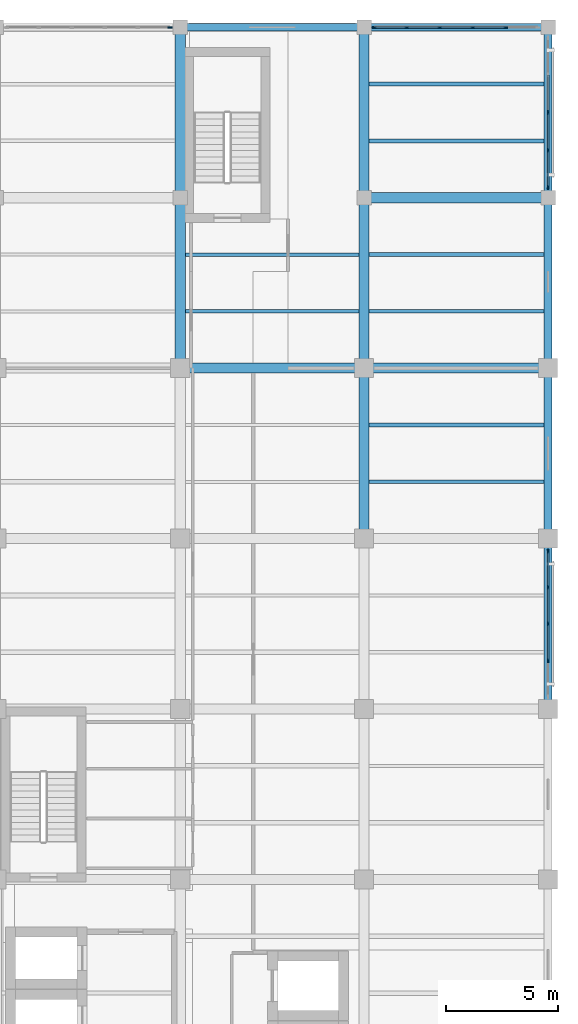
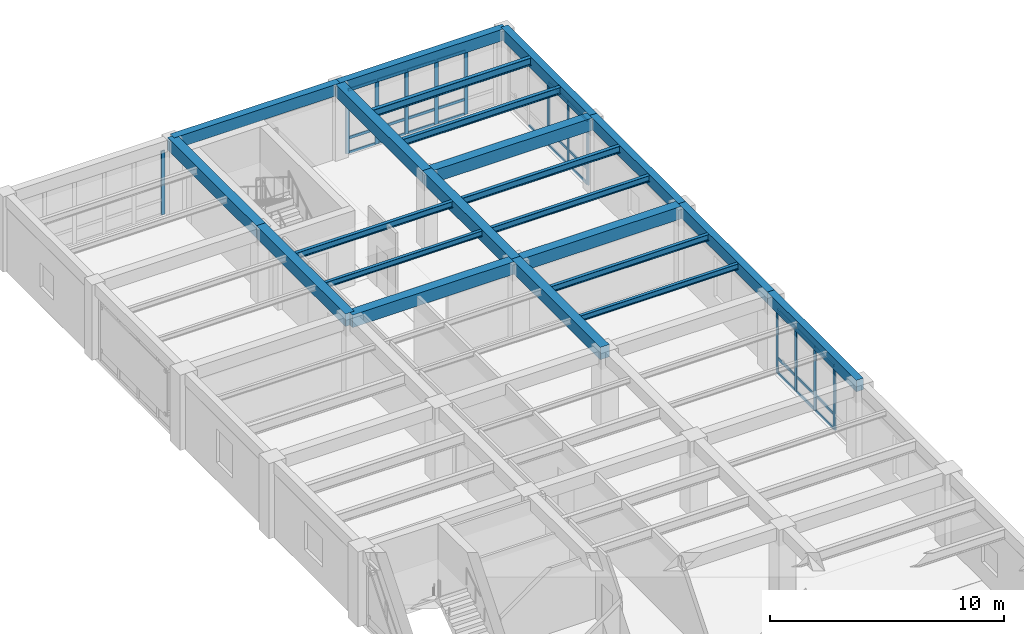
# One storey, part 5 of 16: 41 members, 22 beams, 4 elements without a shape of their own.
"""IFC4 building model written with IfcOpenShell, lengths in metres."""

from ifc_helpers import new_model, si_unit, direction, frame, origin, origin_2d, place, context, subcontext, project, spatial, rectangle, i_section, extrude, material, material_profile, profile_set, type_object, element, aggregate, save


model = new_model("IFC4")

# Units and contexts
model_context = context("Model", 3, precision=1e-05, world=origin(), true_north=direction((0.0, 1.0)))
body_context = subcontext(model_context, "Body", "Model", "MODEL_VIEW")
ifc_project = project(units=[si_unit("LENGTHUNIT", "METRE"), si_unit("AREAUNIT", "SQUARE_METRE"), si_unit("VOLUMEUNIT", "CUBIC_METRE"), si_unit("PLANEANGLEUNIT", "RADIAN"), si_unit("MASSUNIT", "GRAM", prefix="KILO")], contexts=[model_context])

# Site, building, storey
site_placement = place(None, origin())
site = spatial("IfcSite", under=ifc_project, at=site_placement, CompositionType="ELEMENT")
building_placement = place(site_placement, origin())
building = spatial("IfcBuilding", under=site, at=building_placement, Name="Qandaris Square Conservatory and Botanical Centre", CompositionType="ELEMENT")
storey_placement = place(building_placement, frame((0.0, 0.0, 24.0)))
storey = spatial("IfcBuildingStorey", under=building, at=storey_placement, Name="L05", CompositionType="ELEMENT", Elevation=24.0)

# Beams
ifc_material_1 = material(Name="Steel S355", Category="steel")
ifc_material_profile_1 = material_profile(ifc_material_1, i_section(OverallWidth=0.14990234375, OverallDepth=0.300048828125, WebThickness=0.007080078125, FlangeThickness=0.0107421875, FilletRadius=0.014892578125, at=origin_2d()), Name="IPE 300")
ifc_profile_set_1 = profile_set([ifc_material_profile_1], Name="Steel S355")
beam_type_1 = type_object("IfcBeamType", Name="Composite Lab Joist IPE 300", PredefinedType="JOIST", material=ifc_profile_set_1)
beam_1_placement = place(storey_placement, frame((147.625, 64.7333984375, 3.77001953125), z_axis=(1.0, 0.0, 0.0), x_axis=(0.0, 1.0, 0.0)))
element("IfcBeam", 1, at=beam_1_placement, inside=storey, type_object=beam_type_1, Name="L05 Composite Joist 1939", PredefinedType="JOIST", context=body_context, shape_type="SweptSolid", body=[
    extrude(i_section(OverallWidth=0.14990234375, OverallDepth=0.300048828125, WebThickness=0.007080078125, FlangeThickness=0.0107421875, FilletRadius=0.014892578125, at=origin_2d()), origin(), (0.0, 0.0, 1.0), 7.75),
])
beam_2_placement = place(storey_placement, frame((155.824951171875, 57.13330078125, 3.77001953125), z_axis=(1.0, 0.0, 0.0), x_axis=(0.0, 1.0, 0.0)))
element("IfcBeam", 2, at=beam_2_placement, inside=storey, type_object=beam_type_1, Name="L05 Composite Joist 1951", PredefinedType="JOIST", context=body_context, shape_type="SweptSolid", body=[
    extrude(i_section(OverallWidth=0.14990234375, OverallDepth=0.300048828125, WebThickness=0.007080078125, FlangeThickness=0.0107421875, FilletRadius=0.014892578125, at=origin_2d()), origin(), (0.0, 0.0, 1.0), 7.800048828125),
])
ifc_material_profile_2 = material_profile(ifc_material_1, i_section(OverallWidth=0.159912109375, OverallDepth=0.330078125, WebThickness=0.007568359375, FlangeThickness=0.011474609375, FilletRadius=0.01806640625, at=origin_2d()), Name="IPE 330")
ifc_profile_set_2 = profile_set([ifc_material_profile_2], Name="Steel S355")
beam_type_2 = type_object("IfcBeamType", Name="Composite Lab Joist IPE 330", PredefinedType="JOIST", material=ifc_profile_set_2)
beam_3_placement = place(storey_placement, frame((147.625, 67.2666015625, 3.7548828125), z_axis=(1.0, 0.0, 0.0), x_axis=(0.0, 1.0, 0.0)))
element("IfcBeam", 3, at=beam_3_placement, inside=storey, type_object=beam_type_2, Name="L05 Composite Joist 1940", PredefinedType="JOIST", context=body_context, shape_type="SweptSolid", body=[
    extrude(i_section(OverallWidth=0.159912109375, OverallDepth=0.330078125, WebThickness=0.007568359375, FlangeThickness=0.011474609375, FilletRadius=0.01806640625, at=origin_2d()), origin(), (0.0, 0.0, 1.0), 7.75),
])
for number, where, z_axis, x_axis, name in (
    (4, (155.824951171875, 59.666748046875, 3.7548828125), (1.0, 0.0, 0.0), (0.0, 1.0, 0.0), "L05 Composite Joist 1952"),
    (5, (155.824951171875, 64.7333984375, 3.7548828125), (1.0, 0.0, 0.0), (0.0, 1.0, 0.0), "L05 Composite Joist 1953"),
):
    element("IfcBeam", number, at=place(storey_placement, frame(where, z_axis=z_axis, x_axis=x_axis)), inside=storey, type_object=beam_type_2, Name=name, PredefinedType="JOIST", context=body_context, shape_type="SweptSolid", body=[
        extrude(i_section(OverallWidth=0.159912109375, OverallDepth=0.330078125, WebThickness=0.007568359375, FlangeThickness=0.011474609375, FilletRadius=0.01806640625, at=origin_2d()), origin(), (0.0, 0.0, 1.0), 7.800048828125),
    ])
ifc_material_profile_3 = material_profile(ifc_material_1, i_section(OverallWidth=0.169921875, OverallDepth=0.360107421875, WebThickness=0.008056640625, FlangeThickness=0.0126953125, FilletRadius=0.01806640625, at=origin_2d()), Name="IPE 360")
ifc_profile_set_3 = profile_set([ifc_material_profile_3], Name="Steel S355")
beam_type_3 = type_object("IfcBeamType", Name="Composite Lab Joist IPE 360", PredefinedType="JOIST", material=ifc_profile_set_3)
for number, where, z_axis, x_axis, name in (
    (6, (155.824951171875, 67.2666015625, 3.739990234375), (1.0, 0.0, 0.0), (0.0, 1.0, 0.0), "L05 Composite Joist 1954"),
    (7, (155.824951171875, 72.333251953125, 3.739990234375), (1.0, 0.0, 0.0), (0.0, 1.0, 0.0), "L05 Composite Joist 1955"),
):
    element("IfcBeam", number, at=place(storey_placement, frame(where, z_axis=z_axis, x_axis=x_axis)), inside=storey, type_object=beam_type_3, Name=name, PredefinedType="JOIST", context=body_context, shape_type="SweptSolid", body=[
        extrude(i_section(OverallWidth=0.169921875, OverallDepth=0.360107421875, WebThickness=0.008056640625, FlangeThickness=0.0126953125, FilletRadius=0.01806640625, at=origin_2d()), origin(), (0.0, 0.0, 1.0), 7.800048828125),
    ])
ifc_material_profile_4 = material_profile(ifc_material_1, i_section(OverallWidth=0.179931640625, OverallDepth=0.39990234375, WebThickness=0.008544921875, FlangeThickness=0.013427734375, FilletRadius=0.02099609375, at=origin_2d()), Name="IPE 400")
ifc_profile_set_4 = profile_set([ifc_material_profile_4], Name="Steel S355")
beam_type_4 = type_object("IfcBeamType", Name="Composite Plinth Joist IPE 400", PredefinedType="JOIST", material=ifc_profile_set_4)
beam_4_placement = place(storey_placement, frame((155.824951171875, 74.86669921875, 3.719970703125), z_axis=(1.0, 0.0, 0.0), x_axis=(0.0, 1.0, 0.0)))
element("IfcBeam", 8, at=beam_4_placement, inside=storey, type_object=beam_type_4, Name="L05 Composite Joist 1956", PredefinedType="JOIST", context=body_context, shape_type="SweptSolid", body=[
    extrude(i_section(OverallWidth=0.179931640625, OverallDepth=0.39990234375, WebThickness=0.008544921875, FlangeThickness=0.013427734375, FilletRadius=0.02099609375, at=origin_2d()), origin(), (0.0, 0.0, 1.0), 7.800048828125),
])

# Curtain wall, members
ifc_material_2 = material(Name="Anodised Aluminium", Category="aluminium")
curtain_wall_type_1 = type_object("IfcCurtainWallType", Name="Unitised Curtain Wall CW-4-655x333", PredefinedType="USERDEFINED", material=ifc_material_2)
curtain_wall_1_placement = place(storey_placement, origin())
curtain_wall_1 = element("IfcCurtainWall", 9, at=curtain_wall_1_placement, inside=storey, type_object=curtain_wall_type_1, Name="Curtain Wall CW-TWR-L05-2-5", ObjectType="GLAZED CURTAIN WALL", PredefinedType="USERDEFINED")
ifc_material_profile_5 = material_profile(ifc_material_2, rectangle(XDim=0.06494140625, YDim=0.179931640625, at=origin_2d()), Name="ALU-MUL 65x180")
ifc_profile_set_5 = profile_set([ifc_material_profile_5], Name="Anodised Aluminium")
member_type_1 = type_object("IfcMemberType", Name="Curtain Wall Mullion 65x180", PredefinedType="MULLION", material=ifc_profile_set_5)
member_1_placement = place(storey_placement, frame((163.800048828125, 49.16259765625, 0.0), z_axis=(0.0, 0.0, 1.0), x_axis=(-1.0, 0.0, 0.0)))
member_1 = element("IfcMember", 10, at=member_1_placement, type_object=member_type_1, Name="CW-4-655x333 mullion 2", PredefinedType="MULLION", context=body_context, shape_type="SweptSolid", body=[
    extrude(rectangle(XDim=0.06494140625, YDim=0.179931640625, at=origin_2d()), origin(), (0.0, 0.0, 1.0), 3.330078125),
])
member_2_placement = place(storey_placement, frame((163.800048828125, 50.800048828125, 0.0), z_axis=(0.0, 0.0, 1.0), x_axis=(-1.0, 0.0, 0.0)))
member_2 = element("IfcMember", 11, at=member_2_placement, type_object=member_type_1, Name="CW-4-655x333 mullion 3", PredefinedType="MULLION", context=body_context, shape_type="SweptSolid", body=[
    extrude(rectangle(XDim=0.06494140625, YDim=0.179931640625, at=origin_2d()), origin(), (0.0, 0.0, 1.0), 3.330078125),
])
member_3_placement = place(storey_placement, frame((163.800048828125, 52.4375, 0.0), z_axis=(0.0, 0.0, 1.0), x_axis=(-1.0, 0.0, 0.0)))
member_3 = element("IfcMember", 12, at=member_3_placement, type_object=member_type_1, Name="CW-4-655x333 mullion 4", PredefinedType="MULLION", context=body_context, shape_type="SweptSolid", body=[
    extrude(rectangle(XDim=0.06494140625, YDim=0.179931640625, at=origin_2d()), origin(), (0.0, 0.0, 1.0), 3.330078125),
])
member_4_placement = place(storey_placement, frame((163.800048828125, 54.04248046875, 0.0), z_axis=(0.0, 0.0, 1.0), x_axis=(-1.0, 0.0, 0.0)))
member_4 = element("IfcMember", 13, at=member_4_placement, type_object=member_type_1, Name="CW-4-655x333 mullion 5", PredefinedType="MULLION", context=body_context, shape_type="SweptSolid", body=[
    extrude(rectangle(XDim=0.06494140625, YDim=0.179931640625, at=origin_2d()), origin(), (0.0, 0.0, 1.0), 3.330078125),
])

curtain_wall_type_2 = type_object("IfcCurtainWallType", Name="Unitised Curtain Wall CW-4-675x333", PredefinedType="USERDEFINED", material=ifc_material_2)
curtain_wall_2_placement = place(storey_placement, origin())
curtain_wall_2 = element("IfcCurtainWall", 14, at=curtain_wall_2_placement, inside=storey, type_object=curtain_wall_type_2, Name="Curtain Wall CW-TWR-L05-2-8", ObjectType="GLAZED CURTAIN WALL", PredefinedType="USERDEFINED")
member_5_placement = place(storey_placement, frame((163.800048828125, 70.257568359375, 0.0), z_axis=(0.0, 0.0, 1.0), x_axis=(-1.0, 0.0, 0.0)))
member_5 = element("IfcMember", 15, at=member_5_placement, type_object=member_type_1, Name="CW-4-675x333 mullion 1", PredefinedType="MULLION", context=body_context, shape_type="SweptSolid", body=[
    extrude(rectangle(XDim=0.06494140625, YDim=0.179931640625, at=origin_2d()), origin(), (0.0, 0.0, 1.0), 3.330078125),
])
member_6_placement = place(storey_placement, frame((163.800048828125, 71.91259765625, 0.0), z_axis=(0.0, 0.0, 1.0), x_axis=(-1.0, 0.0, 0.0)))
member_6 = element("IfcMember", 16, at=member_6_placement, type_object=member_type_1, Name="CW-4-675x333 mullion 2", PredefinedType="MULLION", context=body_context, shape_type="SweptSolid", body=[
    extrude(rectangle(XDim=0.06494140625, YDim=0.179931640625, at=origin_2d()), origin(), (0.0, 0.0, 1.0), 3.330078125),
])
member_7_placement = place(storey_placement, frame((163.800048828125, 73.60009765625, 0.0), z_axis=(0.0, 0.0, 1.0), x_axis=(-1.0, 0.0, 0.0)))
member_7 = element("IfcMember", 17, at=member_7_placement, type_object=member_type_1, Name="CW-4-675x333 mullion 3", PredefinedType="MULLION", context=body_context, shape_type="SweptSolid", body=[
    extrude(rectangle(XDim=0.06494140625, YDim=0.179931640625, at=origin_2d()), origin(), (0.0, 0.0, 1.0), 3.330078125),
])

curtain_wall_type_3 = type_object("IfcCurtainWallType", Name="Unitised Curtain Wall CW-3-735x333", PredefinedType="USERDEFINED", material=ifc_material_2)
curtain_wall_3_placement = place(storey_placement, origin())
curtain_wall_3 = element("IfcCurtainWall", 18, at=curtain_wall_3_placement, inside=storey, type_object=curtain_wall_type_3, Name="Curtain Wall CW-TWR-L05-3-1", ObjectType="GLAZED CURTAIN WALL", PredefinedType="USERDEFINED")
member_8_placement = place(storey_placement, frame((161.905029296875, 77.39990234375, 0.0), z_axis=(0.0, 0.0, 1.0), x_axis=(0.0, -1.0, 0.0)))
member_8 = element("IfcMember", 19, at=member_8_placement, type_object=member_type_1, Name="CW-3-735x333 mullion 2", PredefinedType="MULLION", context=body_context, shape_type="SweptSolid", body=[
    extrude(rectangle(XDim=0.06494140625, YDim=0.179931640625, at=origin_2d()), origin(), (0.0, 0.0, 1.0), 3.330078125),
])
member_9_placement = place(storey_placement, frame((160.43505859375, 77.39990234375, 0.0), z_axis=(0.0, 0.0, 1.0), x_axis=(0.0, -1.0, 0.0)))
member_9 = element("IfcMember", 20, at=member_9_placement, type_object=member_type_1, Name="CW-3-735x333 mullion 3", PredefinedType="MULLION", context=body_context, shape_type="SweptSolid", body=[
    extrude(rectangle(XDim=0.06494140625, YDim=0.179931640625, at=origin_2d()), origin(), (0.0, 0.0, 1.0), 3.330078125),
])
member_10_placement = place(storey_placement, frame((158.965087890625, 77.39990234375, 0.0), z_axis=(0.0, 0.0, 1.0), x_axis=(0.0, -1.0, 0.0)))
member_10 = element("IfcMember", 21, at=member_10_placement, type_object=member_type_1, Name="CW-3-735x333 mullion 4", PredefinedType="MULLION", context=body_context, shape_type="SweptSolid", body=[
    extrude(rectangle(XDim=0.06494140625, YDim=0.179931640625, at=origin_2d()), origin(), (0.0, 0.0, 1.0), 3.330078125),
])
member_11_placement = place(storey_placement, frame((157.4951171875, 77.39990234375, 0.0), z_axis=(0.0, 0.0, 1.0), x_axis=(0.0, -1.0, 0.0)))
member_11 = element("IfcMember", 22, at=member_11_placement, type_object=member_type_1, Name="CW-3-735x333 mullion 5", PredefinedType="MULLION", context=body_context, shape_type="SweptSolid", body=[
    extrude(rectangle(XDim=0.06494140625, YDim=0.179931640625, at=origin_2d()), origin(), (0.0, 0.0, 1.0), 3.330078125),
])
member_12_placement = place(storey_placement, frame((156.0576171875, 77.39990234375, 0.0), z_axis=(0.0, 0.0, 1.0), x_axis=(0.0, -1.0, 0.0)))
member_12 = element("IfcMember", 23, at=member_12_placement, type_object=member_type_1, Name="CW-3-735x333 mullion 6", PredefinedType="MULLION", context=body_context, shape_type="SweptSolid", body=[
    extrude(rectangle(XDim=0.06494140625, YDim=0.179931640625, at=origin_2d()), origin(), (0.0, 0.0, 1.0), 3.330078125),
])

# Curtain wall, member
curtain_wall_4_placement = place(storey_placement, origin())
curtain_wall_4 = element("IfcCurtainWall", 24, at=curtain_wall_4_placement, inside=storey, type_object=curtain_wall_type_3, Name="Curtain Wall CW-TWR-L05-3-3", ObjectType="GLAZED CURTAIN WALL", PredefinedType="USERDEFINED")
member_13_placement = place(storey_placement, frame((146.9423828125, 77.39990234375, 0.0), z_axis=(0.0, 0.0, 1.0), x_axis=(0.0, -1.0, 0.0)))
member_13 = element("IfcMember", 25, at=member_13_placement, type_object=member_type_1, Name="CW-3-735x333 mullion 1", PredefinedType="MULLION", context=body_context, shape_type="SweptSolid", body=[
    extrude(rectangle(XDim=0.06494140625, YDim=0.179931640625, at=origin_2d()), origin(), (0.0, 0.0, 1.0), 3.330078125),
])
aggregate(curtain_wall_4, [member_13])

# Member
ifc_material_profile_6 = material_profile(ifc_material_2, rectangle(XDim=0.06494140625, YDim=0.139892578125, at=origin_2d()), Name="ALU-TRN 65x140")
ifc_profile_set_6 = profile_set([ifc_material_profile_6], Name="Anodised Aluminium")
member_type_2 = type_object("IfcMemberType", Name="Curtain Wall Transom 65x140", PredefinedType="USERDEFINED", material=ifc_profile_set_6)
member_14_placement = place(storey_placement, frame((163.800048828125, 49.195068359375, 0.032470703125), z_axis=(0.0, 1.0, 0.0), x_axis=(-1.0, 0.0, 0.0)))
member_14 = element("IfcMember", 26, at=member_14_placement, type_object=member_type_2, Name="CW-4-655x333 transom 2.1", ObjectType="TRANSOM", PredefinedType="USERDEFINED", context=body_context, shape_type="SweptSolid", body=[
    extrude(rectangle(XDim=0.06494140625, YDim=0.139892578125, at=origin_2d()), origin(), (0.0, 0.0, 1.0), 1.572509765625),
])

member_15_placement = place(storey_placement, frame((163.800048828125, 49.195068359375, 0.79931640625), z_axis=(0.0, 1.0, 0.0), x_axis=(-1.0, 0.0, 0.0)))
member_15 = element("IfcMember", 27, at=member_15_placement, type_object=member_type_2, Name="CW-4-655x333 transom 2.2", ObjectType="TRANSOM", PredefinedType="USERDEFINED", context=body_context, shape_type="SweptSolid", body=[
    extrude(rectangle(XDim=0.06494140625, YDim=0.139892578125, at=origin_2d()), origin(), (0.0, 0.0, 1.0), 1.572509765625),
])

member_16_placement = place(storey_placement, frame((163.800048828125, 49.195068359375, 3.297607421875), z_axis=(0.0, 1.0, 0.0), x_axis=(-1.0, 0.0, 0.0)))
member_16 = element("IfcMember", 28, at=member_16_placement, type_object=member_type_2, Name="CW-4-655x333 transom 2.3", ObjectType="TRANSOM", PredefinedType="USERDEFINED", context=body_context, shape_type="SweptSolid", body=[
    extrude(rectangle(XDim=0.06494140625, YDim=0.139892578125, at=origin_2d()), origin(), (0.0, 0.0, 1.0), 1.572509765625),
])

member_17_placement = place(storey_placement, frame((163.800048828125, 50.83251953125, 0.032470703125), z_axis=(0.0, 1.0, 0.0), x_axis=(-1.0, 0.0, 0.0)))
member_17 = element("IfcMember", 29, at=member_17_placement, type_object=member_type_2, Name="CW-4-655x333 transom 3.1", ObjectType="TRANSOM", PredefinedType="USERDEFINED", context=body_context, shape_type="SweptSolid", body=[
    extrude(rectangle(XDim=0.06494140625, YDim=0.139892578125, at=origin_2d()), origin(), (0.0, 0.0, 1.0), 1.572509765625),
])

member_18_placement = place(storey_placement, frame((163.800048828125, 50.83251953125, 0.79931640625), z_axis=(0.0, 1.0, 0.0), x_axis=(-1.0, 0.0, 0.0)))
member_18 = element("IfcMember", 30, at=member_18_placement, type_object=member_type_2, Name="CW-4-655x333 transom 3.2", ObjectType="TRANSOM", PredefinedType="USERDEFINED", context=body_context, shape_type="SweptSolid", body=[
    extrude(rectangle(XDim=0.06494140625, YDim=0.139892578125, at=origin_2d()), origin(), (0.0, 0.0, 1.0), 1.572509765625),
])

member_19_placement = place(storey_placement, frame((163.800048828125, 50.83251953125, 3.297607421875), z_axis=(0.0, 1.0, 0.0), x_axis=(-1.0, 0.0, 0.0)))
member_19 = element("IfcMember", 31, at=member_19_placement, type_object=member_type_2, Name="CW-4-655x333 transom 3.3", ObjectType="TRANSOM", PredefinedType="USERDEFINED", context=body_context, shape_type="SweptSolid", body=[
    extrude(rectangle(XDim=0.06494140625, YDim=0.139892578125, at=origin_2d()), origin(), (0.0, 0.0, 1.0), 1.572509765625),
])

member_20_placement = place(storey_placement, frame((163.800048828125, 52.469970703125, 0.032470703125), z_axis=(0.0, 1.0, 0.0), x_axis=(-1.0, 0.0, 0.0)))
member_20 = element("IfcMember", 32, at=member_20_placement, type_object=member_type_2, Name="CW-4-655x333 transom 4.1", ObjectType="TRANSOM", PredefinedType="USERDEFINED", context=body_context, shape_type="SweptSolid", body=[
    extrude(rectangle(XDim=0.06494140625, YDim=0.139892578125, at=origin_2d()), origin(), (0.0, 0.0, 1.0), 1.5400390625),
])

member_21_placement = place(storey_placement, frame((163.800048828125, 52.469970703125, 0.79931640625), z_axis=(0.0, 1.0, 0.0), x_axis=(-1.0, 0.0, 0.0)))
member_21 = element("IfcMember", 33, at=member_21_placement, type_object=member_type_2, Name="CW-4-655x333 transom 4.2", ObjectType="TRANSOM", PredefinedType="USERDEFINED", context=body_context, shape_type="SweptSolid", body=[
    extrude(rectangle(XDim=0.06494140625, YDim=0.139892578125, at=origin_2d()), origin(), (0.0, 0.0, 1.0), 1.5400390625),
])

member_22_placement = place(storey_placement, frame((163.800048828125, 52.469970703125, 3.297607421875), z_axis=(0.0, 1.0, 0.0), x_axis=(-1.0, 0.0, 0.0)))
member_22 = element("IfcMember", 34, at=member_22_placement, type_object=member_type_2, Name="CW-4-655x333 transom 4.3", ObjectType="TRANSOM", PredefinedType="USERDEFINED", context=body_context, shape_type="SweptSolid", body=[
    extrude(rectangle(XDim=0.06494140625, YDim=0.139892578125, at=origin_2d()), origin(), (0.0, 0.0, 1.0), 1.5400390625),
])

aggregate(curtain_wall_1, [member_1, member_2, member_3, member_4, member_14, member_15, member_16, member_17, member_18, member_19, member_20, member_21, member_22])

member_23_placement = place(storey_placement, frame((163.800048828125, 70.2900390625, 0.032470703125), z_axis=(0.0, 1.0, 0.0), x_axis=(-1.0, 0.0, 0.0)))
member_23 = element("IfcMember", 35, at=member_23_placement, type_object=member_type_2, Name="CW-4-675x333 transom 1.1", ObjectType="TRANSOM", PredefinedType="USERDEFINED", context=body_context, shape_type="SweptSolid", body=[
    extrude(rectangle(XDim=0.06494140625, YDim=0.139892578125, at=origin_2d()), origin(), (0.0, 0.0, 1.0), 1.58984375),
])

member_24_placement = place(storey_placement, frame((163.800048828125, 70.2900390625, 0.79931640625), z_axis=(0.0, 1.0, 0.0), x_axis=(-1.0, 0.0, 0.0)))
member_24 = element("IfcMember", 36, at=member_24_placement, type_object=member_type_2, Name="CW-4-675x333 transom 1.2", ObjectType="TRANSOM", PredefinedType="USERDEFINED", context=body_context, shape_type="SweptSolid", body=[
    extrude(rectangle(XDim=0.06494140625, YDim=0.139892578125, at=origin_2d()), origin(), (0.0, 0.0, 1.0), 1.58984375),
])

member_25_placement = place(storey_placement, frame((163.800048828125, 70.2900390625, 3.297607421875), z_axis=(0.0, 1.0, 0.0), x_axis=(-1.0, 0.0, 0.0)))
member_25 = element("IfcMember", 37, at=member_25_placement, type_object=member_type_2, Name="CW-4-675x333 transom 1.3", ObjectType="TRANSOM", PredefinedType="USERDEFINED", context=body_context, shape_type="SweptSolid", body=[
    extrude(rectangle(XDim=0.06494140625, YDim=0.139892578125, at=origin_2d()), origin(), (0.0, 0.0, 1.0), 1.58984375),
])

member_26_placement = place(storey_placement, frame((163.800048828125, 71.945068359375, 0.032470703125), z_axis=(0.0, 1.0, 0.0), x_axis=(-1.0, 0.0, 0.0)))
member_26 = element("IfcMember", 38, at=member_26_placement, type_object=member_type_2, Name="CW-4-675x333 transom 2.1", ObjectType="TRANSOM", PredefinedType="USERDEFINED", context=body_context, shape_type="SweptSolid", body=[
    extrude(rectangle(XDim=0.06494140625, YDim=0.139892578125, at=origin_2d()), origin(), (0.0, 0.0, 1.0), 1.622314453125),
])

member_27_placement = place(storey_placement, frame((163.800048828125, 71.945068359375, 0.79931640625), z_axis=(0.0, 1.0, 0.0), x_axis=(-1.0, 0.0, 0.0)))
member_27 = element("IfcMember", 39, at=member_27_placement, type_object=member_type_2, Name="CW-4-675x333 transom 2.2", ObjectType="TRANSOM", PredefinedType="USERDEFINED", context=body_context, shape_type="SweptSolid", body=[
    extrude(rectangle(XDim=0.06494140625, YDim=0.139892578125, at=origin_2d()), origin(), (0.0, 0.0, 1.0), 1.622314453125),
])

member_28_placement = place(storey_placement, frame((163.800048828125, 71.945068359375, 3.297607421875), z_axis=(0.0, 1.0, 0.0), x_axis=(-1.0, 0.0, 0.0)))
member_28 = element("IfcMember", 40, at=member_28_placement, type_object=member_type_2, Name="CW-4-675x333 transom 2.3", ObjectType="TRANSOM", PredefinedType="USERDEFINED", context=body_context, shape_type="SweptSolid", body=[
    extrude(rectangle(XDim=0.06494140625, YDim=0.139892578125, at=origin_2d()), origin(), (0.0, 0.0, 1.0), 1.622314453125),
])

member_29_placement = place(storey_placement, frame((163.800048828125, 73.632568359375, 0.032470703125), z_axis=(0.0, 1.0, 0.0), x_axis=(-1.0, 0.0, 0.0)))
member_29 = element("IfcMember", 41, at=member_29_placement, type_object=member_type_2, Name="CW-4-675x333 transom 3.1", ObjectType="TRANSOM", PredefinedType="USERDEFINED", context=body_context, shape_type="SweptSolid", body=[
    extrude(rectangle(XDim=0.06494140625, YDim=0.139892578125, at=origin_2d()), origin(), (0.0, 0.0, 1.0), 1.622314453125),
])

aggregate(curtain_wall_2, [member_5, member_6, member_7, member_23, member_24, member_25, member_26, member_27, member_28, member_29])

member_30_placement = place(storey_placement, frame((161.87255859375, 77.39990234375, 0.032470703125), z_axis=(-1.0, 0.0, 0.0), x_axis=(0.0, -1.0, 0.0)))
member_30 = element("IfcMember", 42, at=member_30_placement, type_object=member_type_2, Name="CW-3-735x333 transom 2.1", ObjectType="TRANSOM", PredefinedType="USERDEFINED", context=body_context, shape_type="SweptSolid", body=[
    extrude(rectangle(XDim=0.06494140625, YDim=0.139892578125, at=origin_2d()), origin(), (0.0, 0.0, 1.0), 1.405029296875),
])

member_31_placement = place(storey_placement, frame((161.87255859375, 77.39990234375, 0.79931640625), z_axis=(-1.0, 0.0, 0.0), x_axis=(0.0, -1.0, 0.0)))
member_31 = element("IfcMember", 43, at=member_31_placement, type_object=member_type_2, Name="CW-3-735x333 transom 2.2", ObjectType="TRANSOM", PredefinedType="USERDEFINED", context=body_context, shape_type="SweptSolid", body=[
    extrude(rectangle(XDim=0.06494140625, YDim=0.139892578125, at=origin_2d()), origin(), (0.0, 0.0, 1.0), 1.405029296875),
])

member_32_placement = place(storey_placement, frame((161.87255859375, 77.39990234375, 3.297607421875), z_axis=(-1.0, 0.0, 0.0), x_axis=(0.0, -1.0, 0.0)))
member_32 = element("IfcMember", 44, at=member_32_placement, type_object=member_type_2, Name="CW-3-735x333 transom 2.3", ObjectType="TRANSOM", PredefinedType="USERDEFINED", context=body_context, shape_type="SweptSolid", body=[
    extrude(rectangle(XDim=0.06494140625, YDim=0.139892578125, at=origin_2d()), origin(), (0.0, 0.0, 1.0), 1.405029296875),
])

member_33_placement = place(storey_placement, frame((160.402587890625, 77.39990234375, 0.032470703125), z_axis=(-1.0, 0.0, 0.0), x_axis=(0.0, -1.0, 0.0)))
member_33 = element("IfcMember", 45, at=member_33_placement, type_object=member_type_2, Name="CW-3-735x333 transom 3.1", ObjectType="TRANSOM", PredefinedType="USERDEFINED", context=body_context, shape_type="SweptSolid", body=[
    extrude(rectangle(XDim=0.06494140625, YDim=0.139892578125, at=origin_2d()), origin(), (0.0, 0.0, 1.0), 1.405029296875),
])

member_34_placement = place(storey_placement, frame((160.402587890625, 77.39990234375, 0.79931640625), z_axis=(-1.0, 0.0, 0.0), x_axis=(0.0, -1.0, 0.0)))
member_34 = element("IfcMember", 46, at=member_34_placement, type_object=member_type_2, Name="CW-3-735x333 transom 3.2", ObjectType="TRANSOM", PredefinedType="USERDEFINED", context=body_context, shape_type="SweptSolid", body=[
    extrude(rectangle(XDim=0.06494140625, YDim=0.139892578125, at=origin_2d()), origin(), (0.0, 0.0, 1.0), 1.405029296875),
])

member_35_placement = place(storey_placement, frame((160.402587890625, 77.39990234375, 3.297607421875), z_axis=(-1.0, 0.0, 0.0), x_axis=(0.0, -1.0, 0.0)))
member_35 = element("IfcMember", 47, at=member_35_placement, type_object=member_type_2, Name="CW-3-735x333 transom 3.3", ObjectType="TRANSOM", PredefinedType="USERDEFINED", context=body_context, shape_type="SweptSolid", body=[
    extrude(rectangle(XDim=0.06494140625, YDim=0.139892578125, at=origin_2d()), origin(), (0.0, 0.0, 1.0), 1.405029296875),
])

member_36_placement = place(storey_placement, frame((158.9326171875, 77.39990234375, 0.032470703125), z_axis=(-1.0, 0.0, 0.0), x_axis=(0.0, -1.0, 0.0)))
member_36 = element("IfcMember", 48, at=member_36_placement, type_object=member_type_2, Name="CW-3-735x333 transom 4.1", ObjectType="TRANSOM", PredefinedType="USERDEFINED", context=body_context, shape_type="SweptSolid", body=[
    extrude(rectangle(XDim=0.06494140625, YDim=0.139892578125, at=origin_2d()), origin(), (0.0, 0.0, 1.0), 1.405029296875),
])

member_37_placement = place(storey_placement, frame((158.9326171875, 77.39990234375, 0.79931640625), z_axis=(-1.0, 0.0, 0.0), x_axis=(0.0, -1.0, 0.0)))
member_37 = element("IfcMember", 49, at=member_37_placement, type_object=member_type_2, Name="CW-3-735x333 transom 4.2", ObjectType="TRANSOM", PredefinedType="USERDEFINED", context=body_context, shape_type="SweptSolid", body=[
    extrude(rectangle(XDim=0.06494140625, YDim=0.139892578125, at=origin_2d()), origin(), (0.0, 0.0, 1.0), 1.405029296875),
])

member_38_placement = place(storey_placement, frame((158.9326171875, 77.39990234375, 3.297607421875), z_axis=(-1.0, 0.0, 0.0), x_axis=(0.0, -1.0, 0.0)))
member_38 = element("IfcMember", 50, at=member_38_placement, type_object=member_type_2, Name="CW-3-735x333 transom 4.3", ObjectType="TRANSOM", PredefinedType="USERDEFINED", context=body_context, shape_type="SweptSolid", body=[
    extrude(rectangle(XDim=0.06494140625, YDim=0.139892578125, at=origin_2d()), origin(), (0.0, 0.0, 1.0), 1.405029296875),
])

member_39_placement = place(storey_placement, frame((157.46240234375, 77.39990234375, 0.032470703125), z_axis=(-1.0, 0.0, 0.0), x_axis=(0.0, -1.0, 0.0)))
member_39 = element("IfcMember", 51, at=member_39_placement, type_object=member_type_2, Name="CW-3-735x333 transom 5.1", ObjectType="TRANSOM", PredefinedType="USERDEFINED", context=body_context, shape_type="SweptSolid", body=[
    extrude(rectangle(XDim=0.06494140625, YDim=0.139892578125, at=origin_2d()), origin(), (0.0, 0.0, 1.0), 1.372314453125),
])

member_40_placement = place(storey_placement, frame((157.46240234375, 77.39990234375, 0.79931640625), z_axis=(-1.0, 0.0, 0.0), x_axis=(0.0, -1.0, 0.0)))
member_40 = element("IfcMember", 52, at=member_40_placement, type_object=member_type_2, Name="CW-3-735x333 transom 5.2", ObjectType="TRANSOM", PredefinedType="USERDEFINED", context=body_context, shape_type="SweptSolid", body=[
    extrude(rectangle(XDim=0.06494140625, YDim=0.139892578125, at=origin_2d()), origin(), (0.0, 0.0, 1.0), 1.372314453125),
])

member_41_placement = place(storey_placement, frame((157.46240234375, 77.39990234375, 3.297607421875), z_axis=(-1.0, 0.0, 0.0), x_axis=(0.0, -1.0, 0.0)))
member_41 = element("IfcMember", 53, at=member_41_placement, type_object=member_type_2, Name="CW-3-735x333 transom 5.3", ObjectType="TRANSOM", PredefinedType="USERDEFINED", context=body_context, shape_type="SweptSolid", body=[
    extrude(rectangle(XDim=0.06494140625, YDim=0.139892578125, at=origin_2d()), origin(), (0.0, 0.0, 1.0), 1.372314453125),
])

aggregate(curtain_wall_3, [member_8, member_9, member_10, member_11, member_12, member_30, member_31, member_32, member_33, member_34, member_35, member_36, member_37, member_38, member_39, member_40, member_41])

# Beams
ifc_material_3 = material(Name="Concrete C50/60", Category="concrete")
ifc_material_profile_7 = material_profile(ifc_material_3, rectangle(XDim=0.35009765625, YDim=0.60009765625, at=origin_2d()), Name="RC-SP 350x600")
ifc_profile_set_7 = profile_set([ifc_material_profile_7], Name="Concrete C50/60")
beam_type_5 = type_object("IfcBeamType", Name="RC Edge Spandrel Beam 350x600", PredefinedType="SPANDREL", material=ifc_profile_set_7)
beam_5_placement = place(storey_placement, frame((147.39990234375, 77.39990234375, 3.6298828125), z_axis=(1.0, 0.0, 0.0), x_axis=(0.0, 1.0, 0.0)))
element("IfcBeam", 54, at=beam_5_placement, inside=storey, type_object=beam_type_5, Name="L05 Frame Beam 1858", PredefinedType="SPANDREL", context=body_context, shape_type="SweptSolid", body=[
    extrude(rectangle(XDim=0.35009765625, YDim=0.60009765625, at=origin_2d()), origin(), (0.0, 0.0, 1.0), 8.2001953125),
])
beam_6_placement = place(storey_placement, frame((155.60009765625, 77.39990234375, 3.6298828125), z_axis=(1.0, 0.0, 0.0), x_axis=(0.0, 1.0, 0.0)))
element("IfcBeam", 55, at=beam_6_placement, inside=storey, type_object=beam_type_5, Name="L05 Frame Beam 1859", PredefinedType="SPANDREL", context=body_context, shape_type="SweptSolid", body=[
    extrude(rectangle(XDim=0.35009765625, YDim=0.60009765625, at=origin_2d()), origin(), (0.0, 0.0, 1.0), 8.199951171875),
])
beam_7_placement = place(storey_placement, frame((163.800048828125, 47.0, 3.6298828125), z_axis=(0.0, 1.0, 0.0), x_axis=(-1.0, 0.0, 0.0)))
element("IfcBeam", 56, at=beam_7_placement, inside=storey, type_object=beam_type_5, Name="L05 Frame Beam 1897", PredefinedType="SPANDREL", context=body_context, shape_type="SweptSolid", body=[
    extrude(rectangle(XDim=0.35009765625, YDim=0.60009765625, at=origin_2d()), origin(), (0.0, 0.0, 1.0), 7.60009765625),
])
beam_8_placement = place(storey_placement, frame((163.800048828125, 54.60009765625, 3.6298828125), z_axis=(0.0, 1.0, 0.0), x_axis=(-1.0, 0.0, 0.0)))
element("IfcBeam", 57, at=beam_8_placement, inside=storey, type_object=beam_type_5, Name="L05 Frame Beam 1898", PredefinedType="SPANDREL", context=body_context, shape_type="SweptSolid", body=[
    extrude(rectangle(XDim=0.35009765625, YDim=0.60009765625, at=origin_2d()), origin(), (0.0, 0.0, 1.0), 7.599853515625),
])
beam_9_placement = place(storey_placement, frame((163.800048828125, 62.199951171875, 3.6298828125), z_axis=(0.0, 1.0, 0.0), x_axis=(-1.0, 0.0, 0.0)))
element("IfcBeam", 58, at=beam_9_placement, inside=storey, type_object=beam_type_5, Name="L05 Frame Beam 1899", PredefinedType="SPANDREL", context=body_context, shape_type="SweptSolid", body=[
    extrude(rectangle(XDim=0.35009765625, YDim=0.60009765625, at=origin_2d()), origin(), (0.0, 0.0, 1.0), 7.60009765625),
])
beam_10_placement = place(storey_placement, frame((163.800048828125, 69.800048828125, 3.6298828125), z_axis=(0.0, 1.0, 0.0), x_axis=(-1.0, 0.0, 0.0)))
element("IfcBeam", 59, at=beam_10_placement, inside=storey, type_object=beam_type_5, Name="L05 Frame Beam 1900", PredefinedType="SPANDREL", context=body_context, shape_type="SweptSolid", body=[
    extrude(rectangle(XDim=0.35009765625, YDim=0.60009765625, at=origin_2d()), origin(), (0.0, 0.0, 1.0), 7.599853515625),
])
ifc_material_profile_8 = material_profile(ifc_material_3, rectangle(XDim=0.449951171875, YDim=0.64990234375, at=origin_2d()), Name="RC-BM 450x650")
ifc_profile_set_8 = profile_set([ifc_material_profile_8], Name="Concrete C50/60")
beam_type_6 = type_object("IfcBeamType", Name="RC Floor Girder 450x650", PredefinedType="BEAM", material=ifc_profile_set_8)
beam_11_placement = place(storey_placement, frame((147.39990234375, 62.199951171875, 3.60498046875), z_axis=(1.0, 0.0, 0.0), x_axis=(0.0, 1.0, 0.0)))
element("IfcBeam", 60, at=beam_11_placement, inside=storey, type_object=beam_type_6, Name="L05 Frame Beam 1853", PredefinedType="BEAM", context=body_context, shape_type="SweptSolid", body=[
    extrude(rectangle(XDim=0.449951171875, YDim=0.64990234375, at=origin_2d()), origin(), (0.0, 0.0, 1.0), 8.2001953125),
])
for number, where, z_axis, x_axis, name in (
    (61, (155.60009765625, 62.199951171875, 3.60498046875), (1.0, 0.0, 0.0), (0.0, 1.0, 0.0), "L05 Frame Beam 1854"),
    (62, (155.60009765625, 69.800048828125, 3.60498046875), (1.0, 0.0, 0.0), (0.0, 1.0, 0.0), "L05 Frame Beam 1856"),
):
    element("IfcBeam", number, at=place(storey_placement, frame(where, z_axis=z_axis, x_axis=x_axis)), inside=storey, type_object=beam_type_6, Name=name, PredefinedType="BEAM", context=body_context, shape_type="SweptSolid", body=[
        extrude(rectangle(XDim=0.449951171875, YDim=0.64990234375, at=origin_2d()), origin(), (0.0, 0.0, 1.0), 8.199951171875),
    ])
beam_12_placement = place(storey_placement, frame((147.39990234375, 62.199951171875, 3.60498046875), z_axis=(0.0, 1.0, 0.0), x_axis=(-1.0, 0.0, 0.0)))
element("IfcBeam", 63, at=beam_12_placement, inside=storey, type_object=beam_type_6, Name="L05 Frame Beam 1883", PredefinedType="BEAM", context=body_context, shape_type="SweptSolid", body=[
    extrude(rectangle(XDim=0.449951171875, YDim=0.64990234375, at=origin_2d()), origin(), (0.0, 0.0, 1.0), 7.60009765625),
])
for number, where, z_axis, x_axis, name in (
    (64, (147.39990234375, 69.800048828125, 3.60498046875), (0.0, 1.0, 0.0), (-1.0, 0.0, 0.0), "L05 Frame Beam 1884"),
    (65, (155.60009765625, 54.60009765625, 3.60498046875), (0.0, 1.0, 0.0), (-1.0, 0.0, 0.0), "L05 Frame Beam 1890"),
):
    element("IfcBeam", number, at=place(storey_placement, frame(where, z_axis=z_axis, x_axis=x_axis)), inside=storey, type_object=beam_type_6, Name=name, PredefinedType="BEAM", context=body_context, shape_type="SweptSolid", body=[
        extrude(rectangle(XDim=0.449951171875, YDim=0.64990234375, at=origin_2d()), origin(), (0.0, 0.0, 1.0), 7.599853515625),
    ])
beam_13_placement = place(storey_placement, frame((155.60009765625, 62.199951171875, 3.60498046875), z_axis=(0.0, 1.0, 0.0), x_axis=(-1.0, 0.0, 0.0)))
element("IfcBeam", 66, at=beam_13_placement, inside=storey, type_object=beam_type_6, Name="L05 Frame Beam 1891", PredefinedType="BEAM", context=body_context, shape_type="SweptSolid", body=[
    extrude(rectangle(XDim=0.449951171875, YDim=0.64990234375, at=origin_2d()), origin(), (0.0, 0.0, 1.0), 7.60009765625),
])
beam_14_placement = place(storey_placement, frame((155.60009765625, 69.800048828125, 3.60498046875), z_axis=(0.0, 1.0, 0.0), x_axis=(-1.0, 0.0, 0.0)))
element("IfcBeam", 67, at=beam_14_placement, inside=storey, type_object=beam_type_6, Name="L05 Frame Beam 1892", PredefinedType="BEAM", context=body_context, shape_type="SweptSolid", body=[
    extrude(rectangle(XDim=0.449951171875, YDim=0.64990234375, at=origin_2d()), origin(), (0.0, 0.0, 1.0), 7.599853515625),
])

save(model, "model.ifc")
